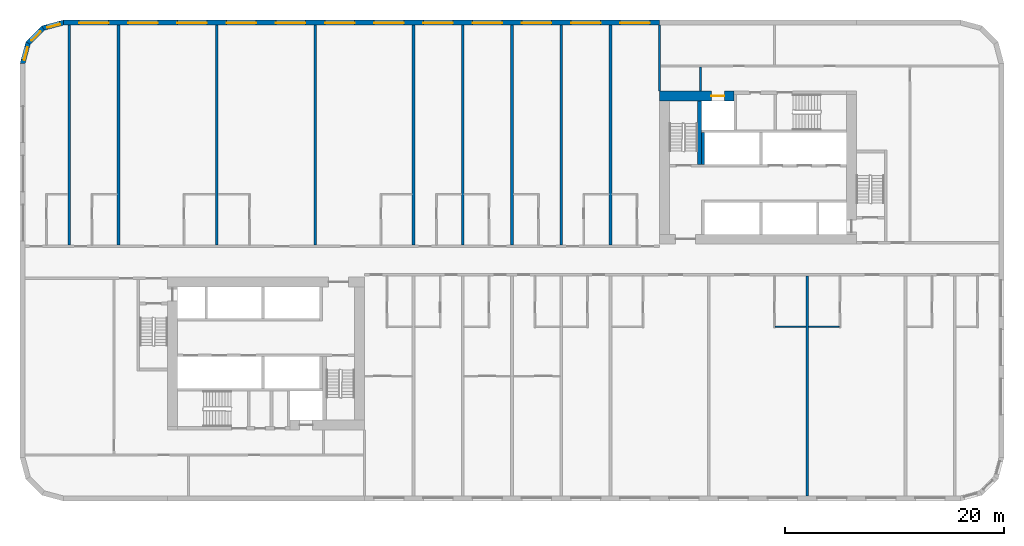
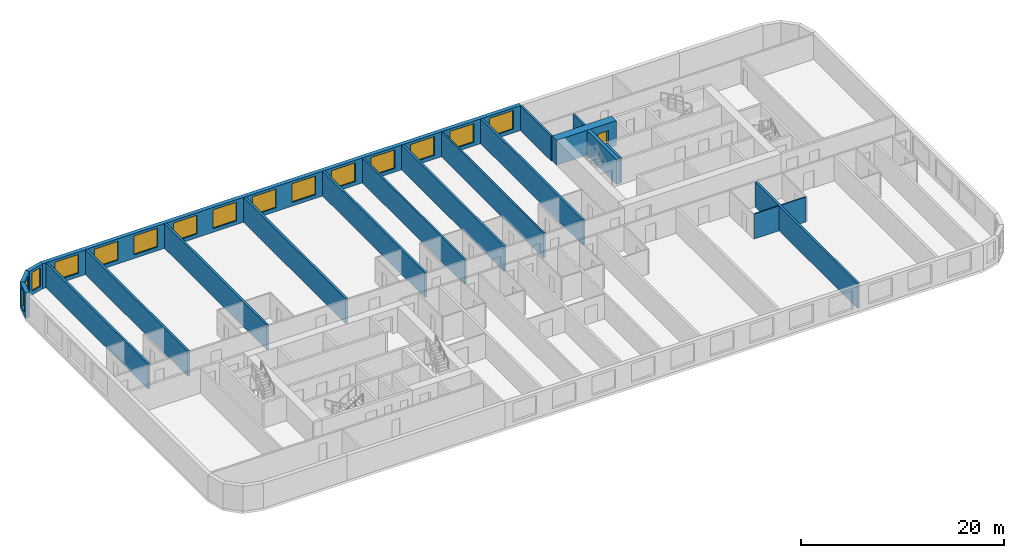
# One storey, part 6 of 12: 21 walls, 15 windows, 1 door, 16 openings.
"""IFC4 building model written with IfcOpenShell, lengths in metres."""

from ifc_helpers import new_model, si_unit, direction, frame, frame_2d, origin, place, context, subcontext, project, spatial, polyline, rectangle, outline, extrude, material, layer, layer_set, type_object, element, fill, save


model = new_model("IFC4")

# Units and contexts
model_context = context("Model", 3, precision=1e-05, world=origin(), true_north=direction((0.0, 1.0)))
body_context = subcontext(model_context, "Body", "Model", "MODEL_VIEW")
ifc_project = project(units=[si_unit("LENGTHUNIT", "METRE"), si_unit("AREAUNIT", "SQUARE_METRE"), si_unit("VOLUMEUNIT", "CUBIC_METRE"), si_unit("PLANEANGLEUNIT", "RADIAN"), si_unit("MASSUNIT", "GRAM", prefix="KILO")], contexts=[model_context])

# Site, building, storey
site_placement = place(None, origin())
site = spatial("IfcSite", under=ifc_project, at=site_placement, CompositionType="ELEMENT")
building_placement = place(site_placement, origin())
building = spatial("IfcBuilding", under=site, at=building_placement, Name="Kajstack Hotel Tower", CompositionType="ELEMENT")
storey_placement = place(building_placement, frame((0.0, 0.0, 96.300048828125)))
storey = spatial("IfcBuildingStorey", under=building, at=storey_placement, Name="L20", CompositionType="ELEMENT", Elevation=96.300048828125)

# Wall, opening, door
ifc_material_1 = material(Name="Concrete C60/75", Category="concrete")
ifc_layer_1 = layer(ifc_material_1, 0.89990234375)
ifc_layer_set_1 = layer_set([ifc_layer_1], Name="Core wall 900")
wall_type_1 = type_object("IfcWallType", Name="Core wall 900", PredefinedType="SHEAR", material=ifc_layer_set_1)
wall_1_placement = place(storey_placement, frame((13.5, 15.050048828125, 0.0), z_axis=(0.0, 0.0, 1.0), x_axis=(1.0, 0.0, 0.0)))
wall_1 = element("IfcWall", 1, at=wall_1_placement, inside=storey, type_object=wall_type_1, Name="Core wall E RS", PredefinedType="SHEAR", context=body_context, shape_type="SweptSolid", body=[
    extrude(rectangle(XDim=6.800048828125, YDim=0.89990234375, at=frame_2d((3.39990234375, 0.0))), origin(), (0.0, 0.0, 1.0), 3.0),
])
opening_1_placement = place(wall_1_placement, frame((4.72509765625, 0.0, 0.0)))
opening_1 = element("IfcOpeningElement", 2, at=opening_1_placement, cuts=wall_1, Name="Opening LD-SV2", PredefinedType="OPENING", context=body_context, shape_type="SweptSolid", body=[
    extrude(rectangle(XDim=1.199951171875, YDim=2.10009765625, at=frame_2d((0.60009765625, 1.050048828125))), frame((0.0, 0.4599609375, 0.0), z_axis=(0.0, -1.0, 0.0), x_axis=(1.0, 0.0, 0.0)), (0.0, 0.0, 1.0), 0.919921875),
])
ifc_material_2 = material(Name="Stainless steel", Category="steel")
door_type = type_object("IfcDoorType", Name="Lift landing door 1200", OperationType="SLIDING_TO_LEFT", PredefinedType="DOOR", material=ifc_material_2)
door_placement = place(opening_1_placement, origin())
door = element("IfcDoor", 3, at=door_placement, inside=storey, type_object=door_type, Name="Landing door SV2", OperationType="SLIDING_TO_LEFT", OverallHeight=2.10009765625, OverallWidth=1.199951171875, PredefinedType="DOOR", context=body_context, shape_type="SweptSolid", body=[
    extrude(rectangle(XDim=1.199951171875, YDim=2.10009765625, at=frame_2d((0.60009765625, 1.050048828125))), frame((0.0, 0.02490234375, 0.0), z_axis=(0.0, -1.0, 0.0), x_axis=(1.0, 0.0, 0.0)), (0.0, 0.0, 1.0), 0.050048828125),
])
fill(opening_1, door)

# Walls
ifc_material_3 = material(Name="Twin-frame gypsum board on steel studs, mineral wool", Category="steel")
ifc_layer_2 = layer(ifc_material_3, 0.199951171875)
ifc_layer_set_2 = layer_set([ifc_layer_2], Name="Demising wall 200")
wall_type_2 = type_object("IfcWallType", Name="Demising wall 200", PredefinedType="PARTITIONING", material=ifc_layer_set_2)
wall_2_placement = place(storey_placement, frame((13.5, 15.5, 0.0), z_axis=(0.0, 0.0, 1.0), x_axis=(0.0, 1.0, 0.0)))
element("IfcWall", 4, at=wall_2_placement, inside=storey, type_object=wall_type_2, Name="G-wall-L20-001", PredefinedType="PARTITIONING", context=body_context, shape_type="SweptSolid", body=[
    extrude(rectangle(XDim=6.050048828125, YDim=0.199951171875, at=frame_2d((3.02490234375, 0.0))), origin(), (0.0, 0.0, 1.0), 3.0),
])
for number, where, z_axis, x_axis, name in (
    (5, (-4.5, 1.39990234375, 0.0), (0.0, 0.0, 1.0), (0.0, 1.0, 0.0), "G-wall-L20-014"),
    (6, (4.5, 1.39990234375, 0.0), (0.0, 0.0, 1.0), (0.0, 1.0, 0.0), "G-wall-L20-019"),
):
    element("IfcWall", number, at=place(storey_placement, frame(where, z_axis=z_axis, x_axis=x_axis)), inside=storey, type_object=wall_type_2, Name=name, PredefinedType="PARTITIONING", context=body_context, shape_type="SweptSolid", body=[
        extrude(rectangle(XDim=20.150146484375, YDim=0.199951171875, at=frame_2d((10.0751953125, 0.0))), origin(), (0.0, 0.0, 1.0), 3.0),
    ])

# Wall, openings, windows
ifc_material_4 = material(Name="Terracotta-faced brick masonry", Category="masonry")
ifc_layer_3 = layer(ifc_material_4, 0.449951171875)
ifc_layer_set_3 = layer_set([ifc_layer_3], Name="EW-TERRA")
wall_type_3 = type_object("IfcWallType", Name="EW-TERRA", PredefinedType="SOLIDWALL", material=ifc_layer_set_3)
wall_3_placement = place(storey_placement, frame((13.5, 21.77490234375, 0.0), z_axis=(0.0, 0.0, 1.0), x_axis=(-1.0, 0.0, 0.0)))
wall_3 = element("IfcWall", 7, at=wall_3_placement, inside=storey, type_object=wall_type_3, Name="E-wall-L20-11-02", PredefinedType="SOLIDWALL", context=body_context, shape_type="SweptSolid", body=[
    extrude(rectangle(XDim=54.5, YDim=0.449951171875, at=frame_2d((27.25, 0.0))), origin(), (0.0, 0.0, 1.0), 3.0),
])
opening_2_placement = place(wall_3_placement, frame((0.89990234375, 0.0, 0.449951171875)))
opening_2 = element("IfcOpeningElement", 8, at=opening_2_placement, cuts=wall_3, Name="Opening W1", PredefinedType="OPENING", context=body_context, shape_type="SweptSolid", body=[
    extrude(rectangle(XDim=2.699951171875, YDim=2.25, at=frame_2d((1.35009765625, 1.125))), frame((0.0, 0.23486328125, 0.0), z_axis=(0.0, -1.0, 0.0), x_axis=(1.0, 0.0, 0.0)), (0.0, 0.0, 1.0), 0.469970703125),
])
opening_3_placement = place(wall_3_placement, frame((5.39990234375, 0.0, 0.449951171875)))
opening_3 = element("IfcOpeningElement", 9, at=opening_3_placement, cuts=wall_3, Name="Opening W1", PredefinedType="OPENING", context=body_context, shape_type="SweptSolid", body=[
    extrude(rectangle(XDim=2.699951171875, YDim=2.25, at=frame_2d((1.35009765625, 1.125))), frame((0.0, 0.23486328125, 0.0), z_axis=(0.0, -1.0, 0.0), x_axis=(1.0, 0.0, 0.0)), (0.0, 0.0, 1.0), 0.469970703125),
])
opening_4_placement = place(wall_3_placement, frame((9.89990234375, 0.0, 0.449951171875)))
opening_4 = element("IfcOpeningElement", 10, at=opening_4_placement, cuts=wall_3, Name="Opening W1", PredefinedType="OPENING", context=body_context, shape_type="SweptSolid", body=[
    extrude(rectangle(XDim=2.699951171875, YDim=2.25, at=frame_2d((1.35009765625, 1.125))), frame((0.0, 0.23486328125, 0.0), z_axis=(0.0, -1.0, 0.0), x_axis=(1.0, 0.0, 0.0)), (0.0, 0.0, 1.0), 0.469970703125),
])
opening_5_placement = place(wall_3_placement, frame((14.39990234375, 0.0, 0.449951171875)))
opening_5 = element("IfcOpeningElement", 11, at=opening_5_placement, cuts=wall_3, Name="Opening W1", PredefinedType="OPENING", context=body_context, shape_type="SweptSolid", body=[
    extrude(rectangle(XDim=2.699951171875, YDim=2.25, at=frame_2d((1.35009765625, 1.125))), frame((0.0, 0.23486328125, 0.0), z_axis=(0.0, -1.0, 0.0), x_axis=(1.0, 0.0, 0.0)), (0.0, 0.0, 1.0), 0.469970703125),
])
opening_6_placement = place(wall_3_placement, frame((18.89990234375, 0.0, 0.449951171875)))
opening_6 = element("IfcOpeningElement", 12, at=opening_6_placement, cuts=wall_3, Name="Opening W1", PredefinedType="OPENING", context=body_context, shape_type="SweptSolid", body=[
    extrude(rectangle(XDim=2.699951171875, YDim=2.25, at=frame_2d((1.35009765625, 1.125))), frame((0.0, 0.23486328125, 0.0), z_axis=(0.0, -1.0, 0.0), x_axis=(1.0, 0.0, 0.0)), (0.0, 0.0, 1.0), 0.469970703125),
])
opening_7_placement = place(wall_3_placement, frame((23.39990234375, 0.0, 0.449951171875)))
opening_7 = element("IfcOpeningElement", 13, at=opening_7_placement, cuts=wall_3, Name="Opening W1", PredefinedType="OPENING", context=body_context, shape_type="SweptSolid", body=[
    extrude(rectangle(XDim=2.699951171875, YDim=2.25, at=frame_2d((1.35009765625, 1.125))), frame((0.0, 0.23486328125, 0.0), z_axis=(0.0, -1.0, 0.0), x_axis=(1.0, 0.0, 0.0)), (0.0, 0.0, 1.0), 0.469970703125),
])
opening_8_placement = place(wall_3_placement, frame((27.89990234375, 0.0, 0.449951171875)))
opening_8 = element("IfcOpeningElement", 14, at=opening_8_placement, cuts=wall_3, Name="Opening W1", PredefinedType="OPENING", context=body_context, shape_type="SweptSolid", body=[
    extrude(rectangle(XDim=2.699951171875, YDim=2.25, at=frame_2d((1.35009765625, 1.125))), frame((0.0, 0.23486328125, 0.0), z_axis=(0.0, -1.0, 0.0), x_axis=(1.0, 0.0, 0.0)), (0.0, 0.0, 1.0), 0.469970703125),
])
opening_9_placement = place(wall_3_placement, frame((32.39990234375, 0.0, 0.449951171875)))
opening_9 = element("IfcOpeningElement", 15, at=opening_9_placement, cuts=wall_3, Name="Opening W1", PredefinedType="OPENING", context=body_context, shape_type="SweptSolid", body=[
    extrude(rectangle(XDim=2.699951171875, YDim=2.25, at=frame_2d((1.35009765625, 1.125))), frame((0.0, 0.23486328125, 0.0), z_axis=(0.0, -1.0, 0.0), x_axis=(1.0, 0.0, 0.0)), (0.0, 0.0, 1.0), 0.469970703125),
])
opening_10_placement = place(wall_3_placement, frame((36.89990234375, 0.0, 0.449951171875)))
opening_10 = element("IfcOpeningElement", 16, at=opening_10_placement, cuts=wall_3, Name="Opening W1", PredefinedType="OPENING", context=body_context, shape_type="SweptSolid", body=[
    extrude(rectangle(XDim=2.699951171875, YDim=2.25, at=frame_2d((1.35009765625, 1.125))), frame((0.0, 0.23486328125, 0.0), z_axis=(0.0, -1.0, 0.0), x_axis=(1.0, 0.0, 0.0)), (0.0, 0.0, 1.0), 0.469970703125),
])
opening_11_placement = place(wall_3_placement, frame((41.39990234375, 0.0, 0.449951171875)))
opening_11 = element("IfcOpeningElement", 17, at=opening_11_placement, cuts=wall_3, Name="Opening W1", PredefinedType="OPENING", context=body_context, shape_type="SweptSolid", body=[
    extrude(rectangle(XDim=2.699951171875, YDim=2.25, at=frame_2d((1.35009765625, 1.125))), frame((0.0, 0.23486328125, 0.0), z_axis=(0.0, -1.0, 0.0), x_axis=(1.0, 0.0, 0.0)), (0.0, 0.0, 1.0), 0.469970703125),
])
opening_12_placement = place(wall_3_placement, frame((45.89990234375, 0.0, 0.449951171875)))
opening_12 = element("IfcOpeningElement", 18, at=opening_12_placement, cuts=wall_3, Name="Opening W1", PredefinedType="OPENING", context=body_context, shape_type="SweptSolid", body=[
    extrude(rectangle(XDim=2.699951171875, YDim=2.25, at=frame_2d((1.35009765625, 1.125))), frame((0.0, 0.23486328125, 0.0), z_axis=(0.0, -1.0, 0.0), x_axis=(1.0, 0.0, 0.0)), (0.0, 0.0, 1.0), 0.469970703125),
])
opening_13_placement = place(wall_3_placement, frame((50.39990234375, 0.0, 0.449951171875)))
opening_13 = element("IfcOpeningElement", 19, at=opening_13_placement, cuts=wall_3, Name="Opening W1", PredefinedType="OPENING", context=body_context, shape_type="SweptSolid", body=[
    extrude(rectangle(XDim=2.699951171875, YDim=2.25, at=frame_2d((1.35009765625, 1.125))), frame((0.0, 0.23486328125, 0.0), z_axis=(0.0, -1.0, 0.0), x_axis=(1.0, 0.0, 0.0)), (0.0, 0.0, 1.0), 0.469970703125),
])
ifc_material_5 = material(Name="Timber-aluminium window, triple glazed", Category="wood")
window_type_1 = type_object("IfcWindowType", Name="WG1", PartitioningType="SINGLE_PANEL", PredefinedType="WINDOW", material=ifc_material_5)
window_1_placement = place(opening_2_placement, origin())
window_1 = element("IfcWindow", 20, at=window_1_placement, inside=storey, type_object=window_type_1, Name="Window W1 L20-11", OverallHeight=2.25, OverallWidth=2.699951171875, PartitioningType="SINGLE_PANEL", PredefinedType="WINDOW", context=body_context, shape_type="SweptSolid", body=[
    extrude(rectangle(XDim=2.699951171875, YDim=2.25, at=frame_2d((1.35009765625, 1.125))), frame((0.0, 0.090087890625, 0.0), z_axis=(0.0, -1.0, 0.0), x_axis=(1.0, 0.0, 0.0)), (0.0, 0.0, 1.0), 0.06005859375),
])
fill(opening_2, window_1)
window_2_placement = place(opening_3_placement, origin())
window_2 = element("IfcWindow", 21, at=window_2_placement, inside=storey, type_object=window_type_1, Name="Window W1 L20-11", OverallHeight=2.25, OverallWidth=2.699951171875, PartitioningType="SINGLE_PANEL", PredefinedType="WINDOW", context=body_context, shape_type="SweptSolid", body=[
    extrude(rectangle(XDim=2.699951171875, YDim=2.25, at=frame_2d((1.35009765625, 1.125))), frame((0.0, 0.090087890625, 0.0), z_axis=(0.0, -1.0, 0.0), x_axis=(1.0, 0.0, 0.0)), (0.0, 0.0, 1.0), 0.06005859375),
])
fill(opening_3, window_2)
window_3_placement = place(opening_4_placement, origin())
window_3 = element("IfcWindow", 22, at=window_3_placement, inside=storey, type_object=window_type_1, Name="Window W1 L20-11", OverallHeight=2.25, OverallWidth=2.699951171875, PartitioningType="SINGLE_PANEL", PredefinedType="WINDOW", context=body_context, shape_type="SweptSolid", body=[
    extrude(rectangle(XDim=2.699951171875, YDim=2.25, at=frame_2d((1.35009765625, 1.125))), frame((0.0, 0.090087890625, 0.0), z_axis=(0.0, -1.0, 0.0), x_axis=(1.0, 0.0, 0.0)), (0.0, 0.0, 1.0), 0.06005859375),
])
fill(opening_4, window_3)
window_4_placement = place(opening_5_placement, origin())
window_4 = element("IfcWindow", 23, at=window_4_placement, inside=storey, type_object=window_type_1, Name="Window W1 L20-11", OverallHeight=2.25, OverallWidth=2.699951171875, PartitioningType="SINGLE_PANEL", PredefinedType="WINDOW", context=body_context, shape_type="SweptSolid", body=[
    extrude(rectangle(XDim=2.699951171875, YDim=2.25, at=frame_2d((1.35009765625, 1.125))), frame((0.0, 0.090087890625, 0.0), z_axis=(0.0, -1.0, 0.0), x_axis=(1.0, 0.0, 0.0)), (0.0, 0.0, 1.0), 0.06005859375),
])
fill(opening_5, window_4)
window_5_placement = place(opening_6_placement, origin())
window_5 = element("IfcWindow", 24, at=window_5_placement, inside=storey, type_object=window_type_1, Name="Window W1 L20-11", OverallHeight=2.25, OverallWidth=2.699951171875, PartitioningType="SINGLE_PANEL", PredefinedType="WINDOW", context=body_context, shape_type="SweptSolid", body=[
    extrude(rectangle(XDim=2.699951171875, YDim=2.25, at=frame_2d((1.35009765625, 1.125))), frame((0.0, 0.090087890625, 0.0), z_axis=(0.0, -1.0, 0.0), x_axis=(1.0, 0.0, 0.0)), (0.0, 0.0, 1.0), 0.06005859375),
])
fill(opening_6, window_5)
window_6_placement = place(opening_7_placement, origin())
window_6 = element("IfcWindow", 25, at=window_6_placement, inside=storey, type_object=window_type_1, Name="Window W1 L20-11", OverallHeight=2.25, OverallWidth=2.699951171875, PartitioningType="SINGLE_PANEL", PredefinedType="WINDOW", context=body_context, shape_type="SweptSolid", body=[
    extrude(rectangle(XDim=2.699951171875, YDim=2.25, at=frame_2d((1.35009765625, 1.125))), frame((0.0, 0.090087890625, 0.0), z_axis=(0.0, -1.0, 0.0), x_axis=(1.0, 0.0, 0.0)), (0.0, 0.0, 1.0), 0.06005859375),
])
fill(opening_7, window_6)
window_7_placement = place(opening_8_placement, origin())
window_7 = element("IfcWindow", 26, at=window_7_placement, inside=storey, type_object=window_type_1, Name="Window W1 L20-11", OverallHeight=2.25, OverallWidth=2.699951171875, PartitioningType="SINGLE_PANEL", PredefinedType="WINDOW", context=body_context, shape_type="SweptSolid", body=[
    extrude(rectangle(XDim=2.699951171875, YDim=2.25, at=frame_2d((1.35009765625, 1.125))), frame((0.0, 0.090087890625, 0.0), z_axis=(0.0, -1.0, 0.0), x_axis=(1.0, 0.0, 0.0)), (0.0, 0.0, 1.0), 0.06005859375),
])
fill(opening_8, window_7)
window_8_placement = place(opening_9_placement, origin())
window_8 = element("IfcWindow", 27, at=window_8_placement, inside=storey, type_object=window_type_1, Name="Window W1 L20-11", OverallHeight=2.25, OverallWidth=2.699951171875, PartitioningType="SINGLE_PANEL", PredefinedType="WINDOW", context=body_context, shape_type="SweptSolid", body=[
    extrude(rectangle(XDim=2.699951171875, YDim=2.25, at=frame_2d((1.35009765625, 1.125))), frame((0.0, 0.090087890625, 0.0), z_axis=(0.0, -1.0, 0.0), x_axis=(1.0, 0.0, 0.0)), (0.0, 0.0, 1.0), 0.06005859375),
])
fill(opening_9, window_8)
window_9_placement = place(opening_10_placement, origin())
window_9 = element("IfcWindow", 28, at=window_9_placement, inside=storey, type_object=window_type_1, Name="Window W1 L20-11", OverallHeight=2.25, OverallWidth=2.699951171875, PartitioningType="SINGLE_PANEL", PredefinedType="WINDOW", context=body_context, shape_type="SweptSolid", body=[
    extrude(rectangle(XDim=2.699951171875, YDim=2.25, at=frame_2d((1.35009765625, 1.125))), frame((0.0, 0.090087890625, 0.0), z_axis=(0.0, -1.0, 0.0), x_axis=(1.0, 0.0, 0.0)), (0.0, 0.0, 1.0), 0.06005859375),
])
fill(opening_10, window_9)
window_10_placement = place(opening_11_placement, origin())
window_10 = element("IfcWindow", 29, at=window_10_placement, inside=storey, type_object=window_type_1, Name="Window W1 L20-11", OverallHeight=2.25, OverallWidth=2.699951171875, PartitioningType="SINGLE_PANEL", PredefinedType="WINDOW", context=body_context, shape_type="SweptSolid", body=[
    extrude(rectangle(XDim=2.699951171875, YDim=2.25, at=frame_2d((1.35009765625, 1.125))), frame((0.0, 0.090087890625, 0.0), z_axis=(0.0, -1.0, 0.0), x_axis=(1.0, 0.0, 0.0)), (0.0, 0.0, 1.0), 0.06005859375),
])
fill(opening_11, window_10)
window_11_placement = place(opening_12_placement, origin())
window_11 = element("IfcWindow", 30, at=window_11_placement, inside=storey, type_object=window_type_1, Name="Window W1 L20-11", OverallHeight=2.25, OverallWidth=2.699951171875, PartitioningType="SINGLE_PANEL", PredefinedType="WINDOW", context=body_context, shape_type="SweptSolid", body=[
    extrude(rectangle(XDim=2.699951171875, YDim=2.25, at=frame_2d((1.35009765625, 1.125))), frame((0.0, 0.090087890625, 0.0), z_axis=(0.0, -1.0, 0.0), x_axis=(1.0, 0.0, 0.0)), (0.0, 0.0, 1.0), 0.06005859375),
])
fill(opening_12, window_11)
window_12_placement = place(opening_13_placement, origin())
window_12 = element("IfcWindow", 31, at=window_12_placement, inside=storey, type_object=window_type_1, Name="Window W1 L20-11", OverallHeight=2.25, OverallWidth=2.699951171875, PartitioningType="SINGLE_PANEL", PredefinedType="WINDOW", context=body_context, shape_type="SweptSolid", body=[
    extrude(rectangle(XDim=2.699951171875, YDim=2.25, at=frame_2d((1.35009765625, 1.125))), frame((0.0, 0.090087890625, 0.0), z_axis=(0.0, -1.0, 0.0), x_axis=(1.0, 0.0, 0.0)), (0.0, 0.0, 1.0), 0.06005859375),
])
fill(opening_13, window_12)

# Wall, opening, window
wall_4_placement = place(storey_placement, frame((-40.941650390625, 21.78271484375, 0.0), z_axis=(0.0, 0.0, 1.0), x_axis=(-0.965926999034, -0.25881466832, 0.0)))
wall_4 = element("IfcWall", 32, at=wall_4_placement, inside=storey, type_object=wall_type_3, Name="E-wall-L20-12-00", PredefinedType="SOLIDWALL", context=body_context, shape_type="SweptSolid", body=[
    extrude(outline(polyline([(0.000244140625, -0.22509765625), (2.070556640625, -0.224853515625), (1.9501953125, 0.22509765625), (0.12060546875, 0.22509765625), (0.000244140625, -0.22509765625)])), origin(), (0.0, 0.0, 1.0), 3.0),
])
opening_14_placement = place(wall_4_placement, frame((0.435302734375, 0.0, 0.449951171875)))
opening_14 = element("IfcOpeningElement", 33, at=opening_14_placement, cuts=wall_4, Name="Opening W3", PredefinedType="OPENING", context=body_context, shape_type="SweptSolid", body=[
    extrude(rectangle(XDim=1.199951171875, YDim=2.25, at=frame_2d((0.60009765625, 1.125))), frame((0.0, 0.23486328125, 0.0), z_axis=(0.0, -1.0, 0.0), x_axis=(1.0, 0.0, 0.0)), (0.0, 0.0, 1.0), 0.469970703125),
])
window_type_2 = type_object("IfcWindowType", Name="WG3", PartitioningType="SINGLE_PANEL", PredefinedType="WINDOW", material=ifc_material_5)
window_13_placement = place(opening_14_placement, origin())
window_13 = element("IfcWindow", 34, at=window_13_placement, inside=storey, type_object=window_type_2, Name="Window W3 L20-12", OverallHeight=2.25, OverallWidth=1.199951171875, PartitioningType="SINGLE_PANEL", PredefinedType="WINDOW", context=body_context, shape_type="SweptSolid", body=[
    extrude(rectangle(XDim=1.199951171875, YDim=2.25, at=frame_2d((0.60009765625, 1.125))), frame((0.0, 0.090087890625, 0.0), z_axis=(0.0, -1.0, 0.0), x_axis=(1.0, 0.0, 0.0)), (0.0, 0.0, 1.0), 0.06005859375),
])
fill(opening_14, window_13)

wall_5_placement = place(storey_placement, frame((-42.8408203125, 21.304931640625, 0.0), z_axis=(0.0, 0.0, 1.0), x_axis=(-0.707106781187, -0.707106781187, 0.0)))
wall_5 = element("IfcWall", 35, at=wall_5_placement, inside=storey, type_object=wall_type_3, Name="E-wall-L20-13-00", PredefinedType="SOLIDWALL", context=body_context, shape_type="SweptSolid", body=[
    extrude(outline(polyline([(0.0, -0.22509765625), (2.070556640625, -0.22509765625), (1.949951171875, 0.224853515625), (0.12060546875, 0.224853515625), (0.0, -0.22509765625)])), origin(), (0.0, 0.0, 1.0), 3.0),
])
opening_15_placement = place(wall_5_placement, frame((0.435302734375, 0.0, 0.449951171875)))
opening_15 = element("IfcOpeningElement", 36, at=opening_15_placement, cuts=wall_5, Name="Opening W3", PredefinedType="OPENING", context=body_context, shape_type="SweptSolid", body=[
    extrude(rectangle(XDim=1.199951171875, YDim=2.25, at=frame_2d((0.60009765625, 1.125))), frame((0.0, 0.23486328125, 0.0), z_axis=(0.0, -1.0, 0.0), x_axis=(1.0, 0.0, 0.0)), (0.0, 0.0, 1.0), 0.469970703125),
])
window_14_placement = place(opening_15_placement, origin())
window_14 = element("IfcWindow", 37, at=window_14_placement, inside=storey, type_object=window_type_2, Name="Window W3 L20-13", OverallHeight=2.25, OverallWidth=1.199951171875, PartitioningType="SINGLE_PANEL", PredefinedType="WINDOW", context=body_context, shape_type="SweptSolid", body=[
    extrude(rectangle(XDim=1.199951171875, YDim=2.25, at=frame_2d((0.60009765625, 1.125))), frame((0.0, 0.090087890625, 0.0), z_axis=(0.0, -1.0, 0.0), x_axis=(1.0, 0.0, 0.0)), (0.0, 0.0, 1.0), 0.06005859375),
])
fill(opening_15, window_14)

wall_6_placement = place(storey_placement, frame((-44.246826171875, 19.941650390625, 0.0), z_axis=(0.0, 0.0, 1.0), x_axis=(-0.25881466832, -0.965926999034, 0.0)))
wall_6 = element("IfcWall", 38, at=wall_6_placement, inside=storey, type_object=wall_type_3, Name="E-wall-L20-14-00", PredefinedType="SOLIDWALL", context=body_context, shape_type="SweptSolid", body=[
    extrude(outline(polyline([(-0.000244140625, -0.224853515625), (2.0703125, -0.22509765625), (1.949951171875, 0.22509765625), (0.120361328125, 0.22509765625), (-0.000244140625, -0.224853515625)])), origin(), (0.0, 0.0, 1.0), 3.0),
])
opening_16_placement = place(wall_6_placement, frame((0.435302734375, 0.0, 0.449951171875)))
opening_16 = element("IfcOpeningElement", 39, at=opening_16_placement, cuts=wall_6, Name="Opening W3", PredefinedType="OPENING", context=body_context, shape_type="SweptSolid", body=[
    extrude(rectangle(XDim=1.199951171875, YDim=2.25, at=frame_2d((0.60009765625, 1.125))), frame((0.0, 0.23486328125, 0.0), z_axis=(0.0, -1.0, 0.0), x_axis=(1.0, 0.0, 0.0)), (0.0, 0.0, 1.0), 0.469970703125),
])
window_15_placement = place(opening_16_placement, origin())
window_15 = element("IfcWindow", 40, at=window_15_placement, inside=storey, type_object=window_type_2, Name="Window W3 L20-14", OverallHeight=2.25, OverallWidth=1.199951171875, PartitioningType="SINGLE_PANEL", PredefinedType="WINDOW", context=body_context, shape_type="SweptSolid", body=[
    extrude(rectangle(XDim=1.199951171875, YDim=2.25, at=frame_2d((0.60009765625, 1.125))), frame((0.0, 0.090087890625, 0.0), z_axis=(0.0, -1.0, 0.0), x_axis=(1.0, 0.0, 0.0)), (0.0, 0.0, 1.0), 0.06005859375),
])
fill(opening_16, window_15)

# Walls
ifc_material_6 = material(Name="Gypsum board and tiled backer on steel studs", Category="steel")
ifc_layer_4 = layer(ifc_material_6, 0.125)
ifc_layer_set_4 = layer_set([ifc_layer_4], Name="En-suite wall 125")
wall_type_4 = type_object("IfcWallType", Name="En-suite wall 125", PredefinedType="PARTITIONING", material=ifc_layer_set_4)
for number, where, z_axis, x_axis, name in (
    (41, (24.074951171875, -6.06201171875, 0.0), (0.0, 0.0, 1.0), (1.0, 0.0, 0.0), "G-wall-L20-045"),
    (42, (27.125, -6.06201171875, 0.0), (0.0, 0.0, 1.0), (1.0, 0.0, 0.0), "G-wall-L20-047"),
):
    element("IfcWall", number, at=place(storey_placement, frame(where, z_axis=z_axis, x_axis=x_axis)), inside=storey, type_object=wall_type_4, Name=name, PredefinedType="PARTITIONING", context=body_context, shape_type="SweptSolid", body=[
        extrude(rectangle(XDim=2.800048828125, YDim=0.125, at=frame_2d((1.39990234375, 0.0))), origin(), (0.0, 0.0, 1.0), 3.0),
    ])
ifc_layer_5 = layer(ifc_material_1, 0.25)
ifc_layer_set_5 = layer_set([ifc_layer_5], Name="RC cross wall 250 C60/75")
wall_type_5 = type_object("IfcWallType", Name="RC cross wall 250 C60/75", PredefinedType="SHEAR", material=ifc_layer_set_5)
for number, where, z_axis, x_axis, name in (
    (43, (-40.5, 1.39990234375, 0.0), (0.0, 0.0, 1.0), (0.0, 1.0, 0.0), "S-wall-L20-01"),
    (44, (-36.0, 1.39990234375, 0.0), (0.0, 0.0, 1.0), (0.0, 1.0, 0.0), "S-wall-L20-02"),
    (45, (-27.0, 1.39990234375, 0.0), (0.0, 0.0, 1.0), (0.0, 1.0, 0.0), "S-wall-L20-03"),
    (46, (-18.0, 1.39990234375, 0.0), (0.0, 0.0, 1.0), (0.0, 1.0, 0.0), "S-wall-L20-04"),
    (47, (-9.0, 1.39990234375, 0.0), (0.0, 0.0, 1.0), (0.0, 1.0, 0.0), "S-wall-L20-06"),
    (48, (0.0, 1.39990234375, 0.0), (0.0, 0.0, 1.0), (0.0, 1.0, 0.0), "S-wall-L20-08"),
    (49, (9.0, 1.39990234375, 0.0), (0.0, 0.0, 1.0), (0.0, 1.0, 0.0), "S-wall-L20-10"),
    (50, (27.0, -21.5400390625, 0.0), (0.0, 0.0, 1.0), (0.0, 1.0, 0.0), "S-wall-L20-12"),
):
    element("IfcWall", number, at=place(storey_placement, frame(where, z_axis=z_axis, x_axis=x_axis)), inside=storey, type_object=wall_type_5, Name=name, PredefinedType="SHEAR", context=body_context, shape_type="SweptSolid", body=[
        extrude(rectangle(XDim=20.14013671875, YDim=0.25, at=frame_2d((10.070068359375, 0.0))), origin(), (0.0, 0.0, 1.0), 3.0),
    ])
ifc_material_7 = material(Name="Gypsum board on steel studs, mineral wool", Category="steel")
ifc_layer_6 = layer(ifc_material_7, 0.199951171875)
ifc_layer_set_6 = layer_set([ifc_layer_6], Name="Service partition 200")
wall_type_6 = type_object("IfcWallType", Name="Service partition 200", PredefinedType="PARTITIONING", material=ifc_layer_set_6)
wall_7_placement = place(storey_placement, frame((17.25, 15.5, 0.0), z_axis=(0.0, 0.0, 1.0), x_axis=(0.0, 1.0, 0.0)))
element("IfcWall", 51, at=wall_7_placement, inside=storey, type_object=wall_type_6, Name="Partition E SCE", PredefinedType="PARTITIONING", context=body_context, shape_type="SweptSolid", body=[
    extrude(rectangle(XDim=2.199951171875, YDim=0.199951171875, at=frame_2d((1.10009765625, 0.0))), origin(), (0.0, 0.0, 1.0), 3.0),
])
ifc_material_8 = material(Name="Concrete C50/60", Category="concrete")
ifc_layer_7 = layer(ifc_material_8, 0.25)
ifc_layer_set_7 = layer_set([ifc_layer_7], Name="Shaft wall 250")
wall_type_7 = type_object("IfcWallType", Name="Shaft wall 250", PredefinedType="SHEAR", material=ifc_layer_set_7)
wall_8_placement = place(storey_placement, frame((17.47509765625, 8.800048828125, 0.0), z_axis=(0.0, 0.0, 1.0), x_axis=(0.0, 1.0, 0.0)))
element("IfcWall", 52, at=wall_8_placement, inside=storey, type_object=wall_type_7, Name="Core wall E BE", PredefinedType="SHEAR", context=body_context, shape_type="SweptSolid", body=[
    extrude(rectangle(XDim=2.89990234375, YDim=0.25, at=frame_2d((1.449951171875, 0.0))), origin(), (0.0, 0.0, 1.0), 3.0),
])
ifc_layer_8 = layer(ifc_material_8, 0.39990234375)
ifc_layer_set_8 = layer_set([ifc_layer_8], Name="Stair wall 400")
wall_type_8 = type_object("IfcWallType", Name="Stair wall 400", PredefinedType="SHEAR", material=ifc_layer_set_8)
wall_9_placement = place(storey_placement, frame((17.14990234375, 8.800048828125, 0.0), z_axis=(0.0, 0.0, 1.0), x_axis=(0.0, 1.0, 0.0)))
element("IfcWall", 53, at=wall_9_placement, inside=storey, type_object=wall_type_8, Name="Core wall E WW2", PredefinedType="SHEAR", context=body_context, shape_type="SweptSolid", body=[
    extrude(rectangle(XDim=5.800048828125, YDim=0.39990234375, at=frame_2d((2.89990234375, 0.0))), origin(), (0.0, 0.0, 1.0), 3.0),
])

save(model, "model.ifc")
